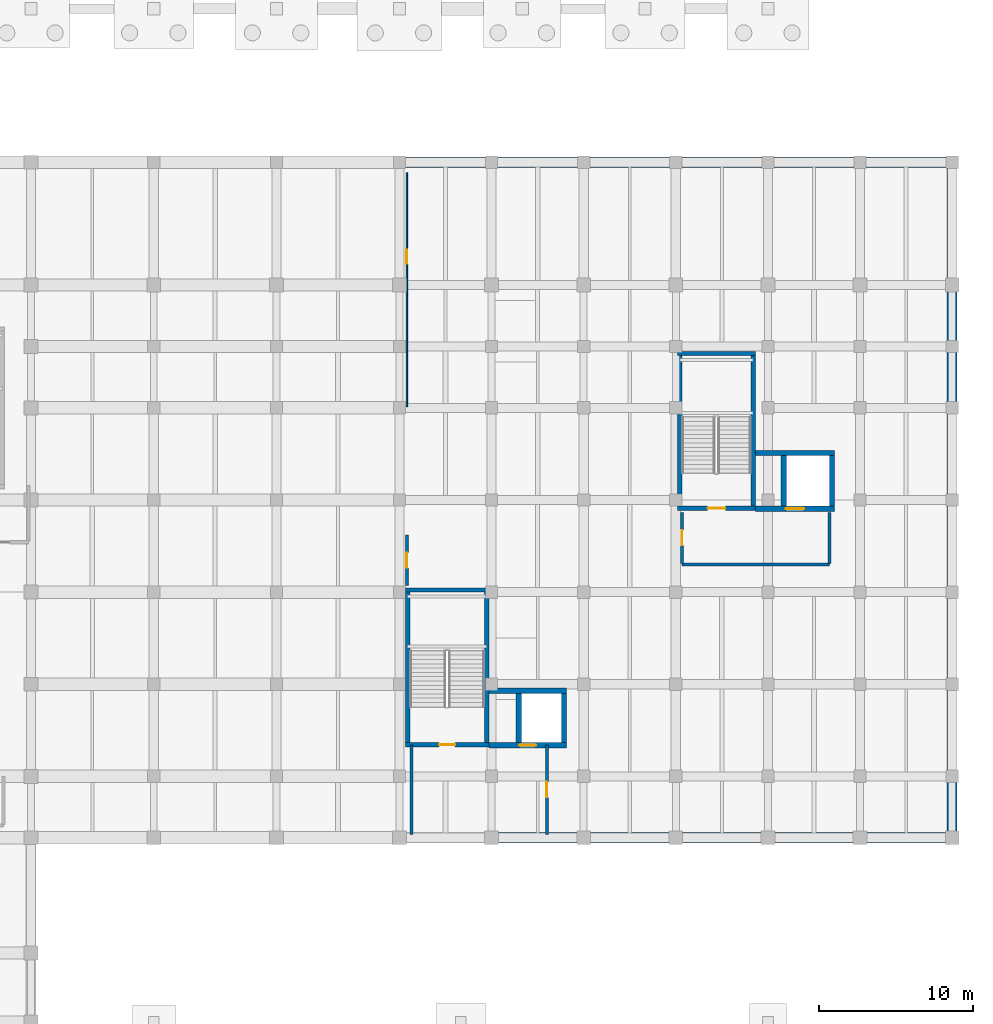
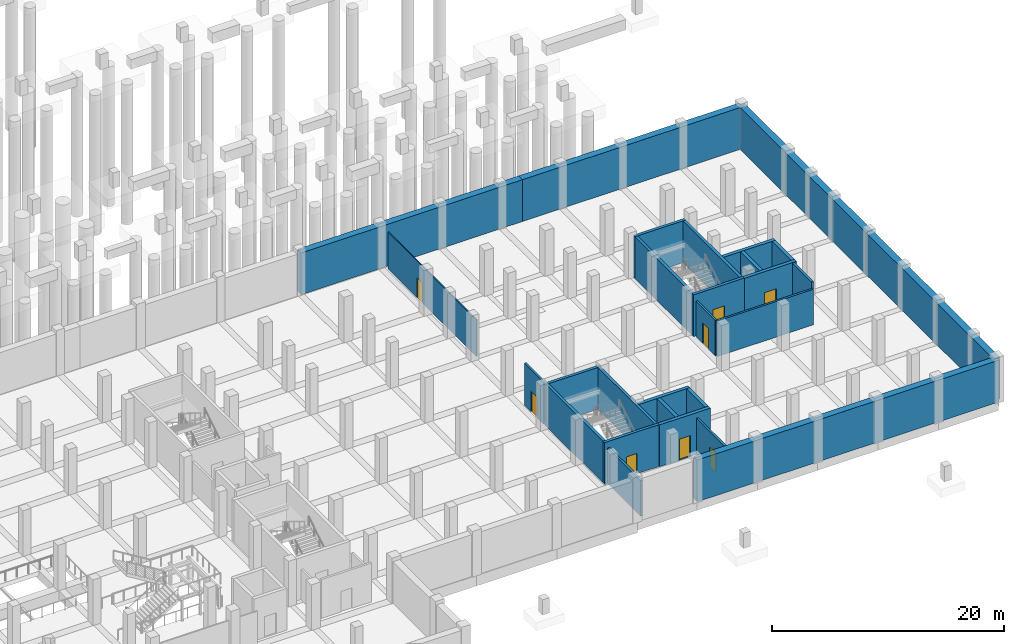
# One storey, part 25 of 36: 28 walls, 8 doors, 8 openings.
"""IFC4 building model written with IfcOpenShell, lengths in metres."""

import ifcopenshell
import ifcopenshell.guid

model = None  # the IFC model being written
_history = None  # IfcOwnerHistory: only IFC2X3 demands one
_inside = {}  # id of a spatial element -> (the spatial element, [elements in it])
_under = {}  # id of a project, library or spatial element -> (it, [spatial elements below it])
_declared = {}  # id of a project -> (the project, [libraries it declares])
_typed = {}  # id of a type object -> (the type object, [elements of that type])
_made_of = {}  # id of a material, layer set ... -> (it, [elements and type objects made of it])


def new_model(schema):
    """Start an empty IFC model of exactly this schema.

    Asked for "IFC4X3", IfcOpenShell would pick the latest addendum, in which some entities
    have other attributes; the version numbers below select the first issue.
    IFC2X3 requires an IfcOwnerHistory on every rooted entity: one is made here for all.
    """
    global model, _history
    if schema == "IFC4X3":
        model = ifcopenshell.file(schema_version=(4, 3, 0, 0))
    else:
        model = ifcopenshell.file(schema=schema)
    _inside.clear()
    _under.clear()
    _declared.clear()
    _typed.clear()
    _made_of.clear()
    _history = None
    if model.schema == "IFC2X3":
        org = make("IfcOrganization", Name="unknown")
        user = make(
            "IfcPersonAndOrganization",
            ThePerson=make("IfcPerson", FamilyName="unknown"),
            TheOrganization=org,
        )
        app = make(
            "IfcApplication",
            ApplicationDeveloper=org,
            Version="unknown",
            ApplicationFullName="unknown",
            ApplicationIdentifier="unknown",
        )
        _history = make(
            "IfcOwnerHistory",
            OwningUser=user,
            OwningApplication=app,
            ChangeAction="ADDED",
            CreationDate=0,
        )
    return model


def make(cls, **values):
    """One entity of the class cls with the attributes given. An attribute that is None is left unset."""
    return model.create_entity(
        cls, **{name: value for name, value in values.items() if value is not None}
    )


def rooted(cls, **values):
    """An entity with a GlobalId (a new one), such as an element, a storey or a relation."""
    return make(cls, GlobalId=ifcopenshell.guid.new(), OwnerHistory=_history, **values)


def si_unit(unit_type, name, prefix=None):
    """IfcSIUnit, for example si_unit("LENGTHUNIT", "METRE", prefix="MILLI")."""
    return make("IfcSIUnit", UnitType=unit_type, Prefix=prefix, Name=name)


def assignment(units):
    """IfcUnitAssignment: the units of a project."""
    return None if units is None else make("IfcUnitAssignment", Units=units)


def point(xyz):
    """IfcCartesianPoint."""
    return None if xyz is None else make("IfcCartesianPoint", Coordinates=xyz)


def direction(xyz):
    """IfcDirection."""
    return None if xyz is None else make("IfcDirection", DirectionRatios=xyz)


def frame(location, z_axis=None, x_axis=None):
    """IfcAxis2Placement3D, a coordinate frame: its origin and axes. An axis left out is left unset."""
    return make(
        "IfcAxis2Placement3D",
        Location=point(location),
        Axis=direction(z_axis),
        RefDirection=direction(x_axis),
    )


def frame_2d(location, x_axis=None):
    """IfcAxis2Placement2D, a coordinate frame in the plane: its origin and x axis."""
    return make(
        "IfcAxis2Placement2D", Location=point(location), RefDirection=direction(x_axis)
    )


def origin():
    """The frame at (0, 0, 0) with its axes left unset."""
    return frame((0.0, 0.0, 0.0))


def place(relative_to, where):
    """IfcLocalPlacement: puts the frame where relative to a parent placement (None: the world)."""
    return make(
        "IfcLocalPlacement", PlacementRelTo=relative_to, RelativePlacement=where
    )


def context(
    kind, dimensions, precision=None, world=None, true_north=None, identifier=None
):
    """IfcGeometricRepresentationContext, for example the 3D "Model" context."""
    return make(
        "IfcGeometricRepresentationContext",
        ContextIdentifier=identifier,
        ContextType=kind,
        CoordinateSpaceDimension=dimensions,
        Precision=precision,
        WorldCoordinateSystem=world,
        TrueNorth=true_north,
    )


def subcontext(parent, identifier, kind, view, scale=None):
    """IfcGeometricRepresentationSubContext, for example "Body" below "Model"."""
    return make(
        "IfcGeometricRepresentationSubContext",
        ContextIdentifier=identifier,
        ContextType=kind,
        ParentContext=parent,
        TargetScale=scale,
        TargetView=view,
    )


def project(units=None, contexts=None):
    """IfcProject with its units and contexts."""
    return rooted(
        "IfcProject",
        Name="project",
        RepresentationContexts=contexts,
        UnitsInContext=assignment(units),
    )


def spatial(cls, under=None, at=None, **own):
    """A site, building, storey or space (cls), placed at a placement, below another one or the project."""
    s = rooted(cls, ObjectPlacement=at, **own)
    if under is not None:
        _under.setdefault(under.id(), (under, []))[1].append(s)
    return s


def profile(cls, at=None, kind="AREA", **sizes):
    """A parametric profile (cls). Its sizes go by their IFC names, for example OverallWidth=200.0."""
    return make(cls, ProfileType=kind, Position=at, **sizes)


def rectangle(**sizes):
    """IfcRectangleProfileDef."""
    return profile("IfcRectangleProfileDef", **sizes)


def extrude(swept, where, along, depth):
    """IfcExtrudedAreaSolid: the profile swept, set in the frame where, extruded along a direction by depth."""
    return make(
        "IfcExtrudedAreaSolid",
        SweptArea=swept,
        Position=where,
        ExtrudedDirection=direction(along),
        Depth=depth,
    )


def shape(context_of_items, identifier, shape_type, items):
    """IfcShapeRepresentation: the items that make up one representation, for example the "Body"."""
    return make(
        "IfcShapeRepresentation",
        ContextOfItems=context_of_items,
        RepresentationIdentifier=identifier,
        RepresentationType=shape_type,
        Items=items,
    )


def material(Name=None, Category=None):
    """IfcMaterial."""
    return make("IfcMaterial", Name=Name, Category=Category)


def layer(
    of_material, thickness, ventilated=None, Name=None, Category=None, Priority=None
):
    """IfcMaterialLayer: one layer of a wall or slab, of a material (None: an air gap)."""
    return make(
        "IfcMaterialLayer",
        Material=of_material,
        LayerThickness=thickness,
        IsVentilated=ventilated,
        Name=Name,
        Category=Category,
        Priority=Priority,
    )


def layer_set(layers, Name=None):
    """IfcMaterialLayerSet."""
    return make("IfcMaterialLayerSet", MaterialLayers=layers, LayerSetName=Name)


def made_of(thing, what):
    """Note that an element or type object is made of a material, layer set ...; save() writes the relation."""
    if what is not None:
        _made_of.setdefault(what.id(), (what, []))[1].append(thing)
    return thing


def type_object(cls, material=None, **own):
    """A type object (cls), such as IfcWallType, which elements share."""
    return made_of(rooted(cls, **own), material)


def element(
    cls,
    number,
    at=None,
    inside=None,
    cuts=None,
    type_object=None,
    material=None,
    context=None,
    identifier="Body",
    shape_type=None,
    held_by="IfcProductDefinitionShape",
    body=None,
    shapes=None,
    **own,
):
    """One element of the class cls, such as IfcWall. Its Tag is "e" and its number.

    at: its placement. inside: the storey or other place that contains it. cuts: it is an
    opening in that element (IfcRelVoidsElement). A single representation is given by context,
    identifier, shape_type and body (its items); several are given by shapes. held_by: the class
    of the entity that holds the representations. save() writes the other relations.
    """
    e = rooted(cls, Tag="e%d" % number, ObjectPlacement=at, **own)
    if body is not None:
        shapes = [shape(context, identifier, shape_type, body)]
    if shapes is not None:
        e.Representation = make(held_by, Representations=shapes)
    if inside is not None:
        _inside.setdefault(inside.id(), (inside, []))[1].append(e)
    if cuts is not None:
        rooted(
            "IfcRelVoidsElement", RelatingBuildingElement=cuts, RelatedOpeningElement=e
        )
    if type_object is not None:
        _typed.setdefault(type_object.id(), (type_object, []))[1].append(e)
    return made_of(e, material)


def fill(opening, filler):
    """IfcRelFillsElement: the door or window that sits in an opening."""
    return rooted(
        "IfcRelFillsElement",
        RelatingOpeningElement=opening,
        RelatedBuildingElement=filler,
    )


def aggregate(whole, parts):
    """IfcRelAggregates: a whole, such as a stair, and the parts it consists of."""
    return rooted("IfcRelAggregates", RelatingObject=whole, RelatedObjects=parts)


def save(model, path):
    """Write the relations noted so far, then the file.

    IfcRelAggregates (storeys below a building ...), IfcRelContainedInSpatialStructure (elements
    in a storey), IfcRelDefinesByType, IfcRelAssociatesMaterial and IfcRelDeclares: one each for
    every whole, place, type object, material and project.
    """
    for whole, parts in _under.values():
        aggregate(whole, parts)
    for where, things in _inside.values():
        rooted(
            "IfcRelContainedInSpatialStructure",
            RelatedElements=things,
            RelatingStructure=where,
        )
    for kind, things in _typed.values():
        rooted("IfcRelDefinesByType", RelatedObjects=things, RelatingType=kind)
    for what, things in _made_of.values():
        rooted("IfcRelAssociatesMaterial", RelatedObjects=things, RelatingMaterial=what)
    for by, libraries in _declared.values():
        rooted("IfcRelDeclares", RelatingContext=by, RelatedDefinitions=libraries)
    model.write(path)


model = new_model("IFC4")

# Units and contexts
model_context = context("Model", 3, precision=1e-05, world=origin(), true_north=direction((0.0, 1.0)))
body_context = subcontext(model_context, "Body", "Model", "MODEL_VIEW")
ifc_project = project(units=[si_unit("LENGTHUNIT", "METRE"), si_unit("AREAUNIT", "SQUARE_METRE"), si_unit("VOLUMEUNIT", "CUBIC_METRE"), si_unit("PLANEANGLEUNIT", "RADIAN"), si_unit("MASSUNIT", "GRAM", prefix="KILO")], contexts=[model_context])

# Site, building, storey
site_placement = place(None, origin())
site = spatial("IfcSite", under=ifc_project, at=site_placement, CompositionType="ELEMENT")
building_placement = place(site_placement, origin())
building = spatial("IfcBuilding", under=site, at=building_placement, Name="Verrall Gate Interchange", CompositionType="ELEMENT")
storey_placement = place(building_placement, frame((0.0, 0.0, -4.800048828125)))
storey = spatial("IfcBuildingStorey", under=building, at=storey_placement, Name="B1", CompositionType="ELEMENT", Elevation=-4.800048828125)

# Wall
ifc_material_1 = material(Name="Fire-Rated Type X Gypsum Stud Partition Assembly (60 min)", Category="gypsum")
ifc_layer_1 = layer(ifc_material_1, 0.199951171875)
ifc_layer_set_1 = layer_set([ifc_layer_1], Name="Fire-Rated Type X Gypsum Stud Partition Assembly (60 min)")
wall_type_1 = type_object("IfcWallType", Name="IW-01 Interior Partition Wall 200", PredefinedType="PARTITIONING", material=ifc_layer_set_1)
wall_1_placement = place(storey_placement, frame((132.800048828125, 18.050048828125, 0.0), z_axis=(0.0, 0.0, 1.0), x_axis=(0.0, -1.0, 0.0)))
element("IfcWall", 1, at=wall_1_placement, inside=storey, type_object=wall_type_1, Name="B1 Core C8 Lobby West Rated Wall", PredefinedType="PARTITIONING", context=body_context, shape_type="SweptSolid", body=[
    extrude(rectangle(XDim=5.820068359375, YDim=0.199951171875, at=frame_2d((2.91015625, 0.0))), origin(), (0.0, 0.0, 1.0), 3.740966796875),
])

# Wall, opening, door
wall_2_placement = place(storey_placement, frame((141.60009765625, 12.22998046875, 0.0), z_axis=(0.0, 0.0, 1.0), x_axis=(0.0, 1.0, 0.0)))
wall_2 = element("IfcWall", 2, at=wall_2_placement, inside=storey, type_object=wall_type_1, Name="B1 Core C8 Lobby East Rated Wall", PredefinedType="PARTITIONING", context=body_context, shape_type="SweptSolid", body=[
    extrude(rectangle(XDim=5.820068359375, YDim=0.199951171875, at=frame_2d((2.91015625, 0.0))), origin(), (0.0, 0.0, 1.0), 3.817138671875),
])
opening_1_placement = place(wall_2_placement, frame((2.409912109375, 0.0, 0.0)))
opening_1 = element("IfcOpeningElement", 3, at=opening_1_placement, cuts=wall_2, Name="Opening LBD093", PredefinedType="OPENING", context=body_context, shape_type="SweptSolid", body=[
    extrude(rectangle(XDim=1.0, YDim=2.14990234375, at=frame_2d((0.5, 1.074951171875))), frame((0.0, 0.11474609375, 0.0), z_axis=(0.0, -1.0, 0.0), x_axis=(1.0, 0.0, 0.0)), (0.0, 0.0, 1.0), 0.229736328125),
])
ifc_material_2 = material(Name="Hollow-Metal Fire-Rated Door Assembly", Category="metal")
door_type_1 = type_object("IfcDoorType", Name="ID-05 Interior Swing Door 1000x2150", OperationType="NOTDEFINED", PredefinedType="DOOR", material=ifc_material_2)
door_1_placement = place(opening_1_placement, origin())
door_1 = element("IfcDoor", 4, at=door_1_placement, inside=storey, type_object=door_type_1, Name="B1 Core C8 Lobby Fire Door LBD093", OperationType="SINGLE_SWING_LEFT", OverallHeight=2.14990234375, OverallWidth=1.0, PredefinedType="DOOR", context=body_context, shape_type="SweptSolid", body=[
    extrude(rectangle(XDim=1.0, YDim=2.14990234375, at=frame_2d((0.5, 1.074951171875))), frame((0.0, 0.02490234375, 0.0), z_axis=(0.0, -1.0, 0.0), x_axis=(1.0, 0.0, 0.0)), (0.0, 0.0, 1.0), 0.050048828125),
])
fill(opening_1, door_1)

# Wall
wall_3_placement = place(storey_placement, frame((150.39990234375, 29.800048828125, 0.0), z_axis=(0.0, 0.0, 1.0), x_axis=(1.0, 0.0, 0.0)))
element("IfcWall", 5, at=wall_3_placement, inside=storey, type_object=wall_type_1, Name="B1 Core C9 Lobby South Rated Wall", PredefinedType="PARTITIONING", context=body_context, shape_type="SweptSolid", body=[
    extrude(rectangle(XDim=9.60009765625, YDim=0.199951171875, at=frame_2d((4.800048828125, 0.0))), origin(), (0.0, 0.0, 1.0), 3.740966796875),
])

# Wall, opening, door
wall_4_placement = place(storey_placement, frame((150.39990234375, 33.199951171875, 0.0), z_axis=(0.0, 0.0, 1.0), x_axis=(0.0, -1.0, 0.0)))
wall_4 = element("IfcWall", 6, at=wall_4_placement, inside=storey, type_object=wall_type_1, Name="B1 Core C9 Lobby West Rated Wall", PredefinedType="PARTITIONING", context=body_context, shape_type="SweptSolid", body=[
    extrude(rectangle(XDim=3.320068359375, YDim=0.199951171875, at=frame_2d((1.66015625, 0.0))), origin(), (0.0, 0.0, 1.0), 3.740966796875),
])
opening_2_placement = place(wall_4_placement, frame((1.159912109375, 0.0, 0.0)))
opening_2 = element("IfcOpeningElement", 7, at=opening_2_placement, cuts=wall_4, Name="Opening LBD103", PredefinedType="OPENING", context=body_context, shape_type="SweptSolid", body=[
    extrude(rectangle(XDim=1.0, YDim=2.14990234375, at=frame_2d((0.5, 1.074951171875))), frame((0.0, 0.11474609375, 0.0), z_axis=(0.0, -1.0, 0.0), x_axis=(1.0, 0.0, 0.0)), (0.0, 0.0, 1.0), 0.229736328125),
])
door_2_placement = place(opening_2_placement, origin())
door_2 = element("IfcDoor", 8, at=door_2_placement, inside=storey, type_object=door_type_1, Name="B1 Core C9 Lobby Fire Door LBD103", OperationType="SINGLE_SWING_LEFT", OverallHeight=2.14990234375, OverallWidth=1.0, PredefinedType="DOOR", context=body_context, shape_type="SweptSolid", body=[
    extrude(rectangle(XDim=1.0, YDim=2.14990234375, at=frame_2d((0.5, 1.074951171875))), frame((0.0, 0.02490234375, 0.0), z_axis=(0.0, -1.0, 0.0), x_axis=(1.0, 0.0, 0.0)), (0.0, 0.0, 1.0), 0.050048828125),
])
fill(opening_2, door_2)

# Wall
wall_5_placement = place(storey_placement, frame((160.0, 29.8798828125, 0.0), z_axis=(0.0, 0.0, 1.0), x_axis=(0.0, 1.0, 0.0)))
element("IfcWall", 9, at=wall_5_placement, inside=storey, type_object=wall_type_1, Name="B1 Core C9 Lobby East Rated Wall", PredefinedType="PARTITIONING", context=body_context, shape_type="SweptSolid", body=[
    extrude(rectangle(XDim=3.320068359375, YDim=0.199951171875, at=frame_2d((1.66015625, 0.0))), origin(), (0.0, 0.0, 1.0), 4.400146484375),
])

# Wall, opening, door
wall_6_placement = place(storey_placement, frame((132.47998046875, 28.43994140625, 0.0), z_axis=(0.0, 0.0, 1.0), x_axis=(0.0, 1.0, 0.0)))
wall_6 = element("IfcWall", 10, at=wall_6_placement, inside=storey, type_object=wall_type_1, Name="B1 East Metro Electrical Switchgear Room Partition 014", PredefinedType="PARTITIONING", context=body_context, shape_type="SweptSolid", body=[
    extrude(rectangle(XDim=3.280029296875, YDim=0.199951171875, at=frame_2d((1.64013671875, 0.0))), origin(), (0.0, 0.0, 1.0), 4.400146484375),
])
opening_3_placement = place(wall_6_placement, frame((1.139892578125, 0.0, 0.0)))
opening_3 = element("IfcOpeningElement", 11, at=opening_3_placement, cuts=wall_6, Name="Opening D014", PredefinedType="OPENING", context=body_context, shape_type="SweptSolid", body=[
    extrude(rectangle(XDim=1.0, YDim=2.14990234375, at=frame_2d((0.5, 1.074951171875))), frame((0.0, 0.11474609375, 0.0), z_axis=(0.0, -1.0, 0.0), x_axis=(1.0, 0.0, 0.0)), (0.0, 0.0, 1.0), 0.229736328125),
])
door_3_placement = place(opening_3_placement, origin())
door_3 = element("IfcDoor", 12, at=door_3_placement, inside=storey, type_object=door_type_1, Name="B1 East Metro Electrical Switchgear Room Door D014", OperationType="SINGLE_SWING_LEFT", OverallHeight=2.14990234375, OverallWidth=1.0, PredefinedType="DOOR", context=body_context, shape_type="SweptSolid", body=[
    extrude(rectangle(XDim=1.0, YDim=2.14990234375, at=frame_2d((0.5, 1.074951171875))), frame((0.0, 0.02490234375, 0.0), z_axis=(0.0, -1.0, 0.0), x_axis=(1.0, 0.0, 0.0)), (0.0, 0.0, 1.0), 0.050048828125),
])
fill(opening_3, door_3)

ifc_material_3 = material(Name="Acoustic Steel-Stud Partition Assembly", Category="steel")
ifc_layer_2 = layer(ifc_material_3, 0.10009765625)
ifc_layer_set_2 = layer_set([ifc_layer_2], Name="Acoustic Steel-Stud Partition Assembly")
wall_type_2 = type_object("IfcWallType", Name="IW-05 Interior Partition Wall 100", PredefinedType="PARTITIONING", material=ifc_layer_set_2)
wall_7_placement = place(storey_placement, frame((132.47998046875, 40.080078125, 0.0), z_axis=(0.0, 0.0, 1.0), x_axis=(0.0, 1.0, 0.0)))
wall_7 = element("IfcWall", 13, at=wall_7_placement, inside=storey, type_object=wall_type_2, Name="B1 Station Custodial and Maintenance Store Partition 015", PredefinedType="PARTITIONING", context=body_context, shape_type="SweptSolid", body=[
    extrude(rectangle(XDim=15.239990234375, YDim=0.10009765625, at=frame_2d((7.6201171875, 0.0))), origin(), (0.0, 0.0, 1.0), 3.8701171875),
])
opening_4_placement = place(wall_7_placement, frame((9.30810546875, 0.0, 0.0)))
opening_4 = element("IfcOpeningElement", 14, at=opening_4_placement, cuts=wall_7, Name="Opening D015", PredefinedType="OPENING", context=body_context, shape_type="SweptSolid", body=[
    extrude(rectangle(XDim=0.919921875, YDim=2.10009765625, at=frame_2d((0.4599609375, 1.050048828125))), frame((0.0, 0.06494140625, 0.0), z_axis=(0.0, -1.0, 0.0), x_axis=(1.0, 0.0, 0.0)), (0.0, 0.0, 1.0), 0.1298828125),
])
ifc_material_4 = material(Name="Architectural Solid-Core Birch Acoustic Door Assembly", Category="wood")
door_type_2 = type_object("IfcDoorType", Name="ID-10 Interior Swing Door 920x2100", OperationType="NOTDEFINED", PredefinedType="DOOR", material=ifc_material_4)
door_4_placement = place(opening_4_placement, origin())
door_4 = element("IfcDoor", 15, at=door_4_placement, inside=storey, type_object=door_type_2, Name="B1 Station Custodial and Maintenance Store Door D015", OperationType="SINGLE_SWING_RIGHT", OverallHeight=2.10009765625, OverallWidth=0.919921875, PredefinedType="DOOR", context=body_context, shape_type="SweptSolid", body=[
    extrude(rectangle(XDim=0.919921875, YDim=2.10009765625, at=frame_2d((0.4599609375, 1.050048828125))), frame((0.0, 0.02490234375, 0.0), z_axis=(0.0, -1.0, 0.0), x_axis=(1.0, 0.0, 0.0)), (0.0, 0.0, 1.0), 0.050048828125),
])
fill(opening_4, door_4)

# Walls
ifc_material_5 = material(Name="Concrete CSA A23.1 35 MPa (Class S-2)", Category="concrete")
ifc_layer_3 = layer(ifc_material_5, 0.659912109375)
ifc_layer_set_3 = layer_set([ifc_layer_3], Name="Concrete CSA A23.1 35 MPa (Class S-2)")
wall_type_3 = type_object("IfcWallType", Name="RW-02 Diaphragm Retaining Wall 660", PredefinedType="USERDEFINED", material=ifc_layer_set_3)
wall_8_placement = place(storey_placement, frame((138.0, 12.0, 0.0), z_axis=(0.0, 0.0, 1.0), x_axis=(1.0, 0.0, 0.0)))
element("IfcWall", 16, at=wall_8_placement, inside=storey, type_object=wall_type_3, Name="B1 Diaphragm Retaining Wall 032", ObjectType="RETAININGWALL", PredefinedType="USERDEFINED", context=body_context, shape_type="SweptSolid", body=[
    extrude(rectangle(XDim=30.0, YDim=0.659912109375, at=frame_2d((15.0, 0.0))), origin(), (0.0, 0.0, 1.0), 4.400146484375),
])
for number, where, z_axis, x_axis, name in (
    (17, (168.0, 12.0, 0.0), (0.0, 0.0, 1.0), (0.0, 1.0, 0.0), "B1 Diaphragm Retaining Wall 033"),
    (18, (168.0, 34.0, 0.0), (0.0, 0.0, 1.0), (0.0, 1.0, 0.0), "B1 Diaphragm Retaining Wall 034"),
    (19, (168.0, 56.0, 0.0), (0.0, 0.0, 1.0), (-1.0, 0.0, 0.0), "B1 Diaphragm Retaining Wall 035"),
    (20, (146.0, 56.0, 0.0), (0.0, 0.0, 1.0), (-1.0, 0.0, 0.0), "B1 Diaphragm Retaining Wall 036"),
):
    element("IfcWall", number, at=place(storey_placement, frame(where, z_axis=z_axis, x_axis=x_axis)), inside=storey, type_object=wall_type_3, Name=name, ObjectType="RETAININGWALL", PredefinedType="USERDEFINED", context=body_context, shape_type="SweptSolid", body=[
        extrude(rectangle(XDim=22.0, YDim=0.659912109375, at=frame_2d((11.0, 0.0))), origin(), (0.0, 0.0, 1.0), 4.400146484375),
    ])

# Wall, opening, door
ifc_material_6 = material(Name="Concrete CSA A23.1 40 MPa (Class N)", Category="concrete")
ifc_layer_4 = layer(ifc_material_6, 0.340087890625)
ifc_layer_set_4 = layer_set([ifc_layer_4], Name="Concrete CSA A23.1 40 MPa (Class N)")
wall_type_4 = type_object("IfcWallType", Name="SW-02 Core Shear Wall 340", PredefinedType="SHEAR", material=ifc_layer_set_4)
wall_9_placement = place(storey_placement, frame((137.820068359375, 18.030029296875, 0.0), z_axis=(0.0, 0.0, 1.0), x_axis=(1.0, 0.0, 0.0)))
wall_9 = element("IfcWall", 21, at=wall_9_placement, inside=storey, type_object=wall_type_4, Name="B1 Elevator EL-06 South Shaft Wall", PredefinedType="SHEAR", context=body_context, shape_type="SweptSolid", body=[
    extrude(rectangle(XDim=5.059814453125, YDim=0.340087890625, at=frame_2d((2.52978515625, 0.0))), origin(), (0.0, 0.0, 1.0), 4.400146484375),
])
opening_5_placement = place(wall_9_placement, frame((1.97998046875, 0.0, 0.0)))
opening_5 = element("IfcOpeningElement", 22, at=opening_5_placement, cuts=wall_9, Name="Opening LD-06-B1", PredefinedType="OPENING", context=body_context, shape_type="SweptSolid", body=[
    extrude(rectangle(XDim=1.10009765625, YDim=2.199951171875, at=frame_2d((0.550048828125, 1.10009765625))), frame((0.0, 0.18505859375, 0.0), z_axis=(0.0, -1.0, 0.0), x_axis=(1.0, 0.0, 0.0)), (0.0, 0.0, 1.0), 0.369873046875),
])
ifc_material_7 = material(Name="Stainless-Steel Elevator Landing Sliding Door Assembly", Category="steel")
door_type_3 = type_object("IfcDoorType", Name="LD-01 Elevator Sliding Landing Door 1100x2200", OperationType="NOTDEFINED", PredefinedType="DOOR", material=ifc_material_7)
door_5_placement = place(opening_5_placement, origin())
door_5 = element("IfcDoor", 23, at=door_5_placement, inside=storey, type_object=door_type_3, Name="B1 Elevator EL-06 Sliding Landing Door", OperationType="DOUBLE_DOOR_SLIDING", OverallHeight=2.199951171875, OverallWidth=1.10009765625, PredefinedType="DOOR", context=body_context, shape_type="SweptSolid", body=[
    extrude(rectangle(XDim=1.10009765625, YDim=2.199951171875, at=frame_2d((0.550048828125, 1.10009765625))), frame((0.0, 0.02490234375, 0.0), z_axis=(0.0, -1.0, 0.0), x_axis=(1.0, 0.0, 0.0)), (0.0, 0.0, 1.0), 0.050048828125),
])
fill(opening_5, door_5)

# Walls
wall_10_placement = place(storey_placement, frame((142.8798828125, 21.570068359375, 0.0), z_axis=(0.0, 0.0, 1.0), x_axis=(-1.0, 0.0, 0.0)))
element("IfcWall", 24, at=wall_10_placement, inside=storey, type_object=wall_type_4, Name="B1 Elevator EL-06 North Shaft Wall", PredefinedType="SHEAR", context=body_context, shape_type="SweptSolid", body=[
    extrude(rectangle(XDim=5.059814453125, YDim=0.340087890625, at=frame_2d((2.52978515625, 0.0))), origin(), (0.0, 0.0, 1.0), 4.400146484375),
])
for number, where, z_axis, x_axis, name in (
    (25, (139.77001953125, 21.39990234375, 0.0), (0.0, 0.0, 1.0), (0.0, -1.0, 0.0), "B1 Elevator EL-06 West Shaft Wall"),
    (26, (142.7099609375, 18.199951171875, 0.0), (0.0, 0.0, 1.0), (0.0, 1.0, 0.0), "B1 Elevator EL-06 East Shaft Wall"),
):
    element("IfcWall", number, at=place(storey_placement, frame(where, z_axis=z_axis, x_axis=x_axis)), inside=storey, type_object=wall_type_4, Name=name, PredefinedType="SHEAR", context=body_context, shape_type="SweptSolid", body=[
        extrude(rectangle(XDim=3.199951171875, YDim=0.340087890625, at=frame_2d((1.60009765625, 0.0))), origin(), (0.0, 0.0, 1.0), 4.400146484375),
    ])

# Wall, opening, door
wall_11_placement = place(storey_placement, frame((155.179931640625, 33.429931640625, 0.0), z_axis=(0.0, 0.0, 1.0), x_axis=(1.0, 0.0, 0.0)))
wall_11 = element("IfcWall", 27, at=wall_11_placement, inside=storey, type_object=wall_type_4, Name="B1 Elevator EL-07 South Shaft Wall", PredefinedType="SHEAR", context=body_context, shape_type="SweptSolid", body=[
    extrude(rectangle(XDim=5.16015625, YDim=0.340087890625, at=frame_2d((2.580078125, 0.0))), origin(), (0.0, 0.0, 1.0), 4.400146484375),
])
opening_6_placement = place(wall_11_placement, frame((1.97998046875, 0.0, 0.0)))
opening_6 = element("IfcOpeningElement", 28, at=opening_6_placement, cuts=wall_11, Name="Opening LD-07-B1", PredefinedType="OPENING", context=body_context, shape_type="SweptSolid", body=[
    extrude(rectangle(XDim=1.199951171875, YDim=2.199951171875, at=frame_2d((0.60009765625, 1.10009765625))), frame((0.0, 0.18505859375, 0.0), z_axis=(0.0, -1.0, 0.0), x_axis=(1.0, 0.0, 0.0)), (0.0, 0.0, 1.0), 0.369873046875),
])
ifc_material_8 = material(Name="Stainless-Steel Elevator Landing Sliding Door Assembly", Category="steel")
door_type_4 = type_object("IfcDoorType", Name="LD-02 Elevator Sliding Landing Door 1200x2200", OperationType="NOTDEFINED", PredefinedType="DOOR", material=ifc_material_8)
door_6_placement = place(opening_6_placement, origin())
door_6 = element("IfcDoor", 29, at=door_6_placement, inside=storey, type_object=door_type_4, Name="B1 Elevator EL-07 Sliding Landing Door", OperationType="DOUBLE_DOOR_SLIDING", OverallHeight=2.199951171875, OverallWidth=1.199951171875, PredefinedType="DOOR", context=body_context, shape_type="SweptSolid", body=[
    extrude(rectangle(XDim=1.199951171875, YDim=2.199951171875, at=frame_2d((0.60009765625, 1.10009765625))), frame((0.0, 0.02490234375, 0.0), z_axis=(0.0, -1.0, 0.0), x_axis=(1.0, 0.0, 0.0)), (0.0, 0.0, 1.0), 0.050048828125),
])
fill(opening_6, door_6)

# Walls
wall_12_placement = place(storey_placement, frame((160.340087890625, 37.070068359375, 0.0), z_axis=(0.0, 0.0, 1.0), x_axis=(-1.0, 0.0, 0.0)))
element("IfcWall", 30, at=wall_12_placement, inside=storey, type_object=wall_type_4, Name="B1 Elevator EL-07 North Shaft Wall", PredefinedType="SHEAR", context=body_context, shape_type="SweptSolid", body=[
    extrude(rectangle(XDim=5.16015625, YDim=0.340087890625, at=frame_2d((2.580078125, 0.0))), origin(), (0.0, 0.0, 1.0), 4.400146484375),
])
for number, where, z_axis, x_axis, name in (
    (31, (157.030029296875, 36.89990234375, 0.0), (0.0, 0.0, 1.0), (0.0, -1.0, 0.0), "B1 Elevator EL-07 West Shaft Wall"),
    (32, (160.169921875, 33.60009765625, 0.0), (0.0, 0.0, 1.0), (0.0, 1.0, 0.0), "B1 Elevator EL-07 East Shaft Wall"),
):
    element("IfcWall", number, at=place(storey_placement, frame(where, z_axis=z_axis, x_axis=x_axis)), inside=storey, type_object=wall_type_4, Name=name, PredefinedType="SHEAR", context=body_context, shape_type="SweptSolid", body=[
        extrude(rectangle(XDim=3.2998046875, YDim=0.340087890625, at=frame_2d((1.64990234375, 0.0))), origin(), (0.0, 0.0, 1.0), 4.400146484375),
    ])

# Wall, opening, door
ifc_material_9 = material(Name="Concrete CSA A23.1 40 MPa (Class N)", Category="concrete")
ifc_layer_5 = layer(ifc_material_9, 0.280029296875)
ifc_layer_set_5 = layer_set([ifc_layer_5], Name="Concrete CSA A23.1 40 MPa (Class N)")
wall_type_5 = type_object("IfcWallType", Name="SW-03 Core Shear Wall 280", PredefinedType="SHEAR", material=ifc_layer_set_5)
wall_13_placement = place(storey_placement, frame((132.39990234375, 18.06005859375, 0.0), z_axis=(0.0, 0.0, 1.0), x_axis=(1.0, 0.0, 0.0)))
wall_13 = element("IfcWall", 33, at=wall_13_placement, inside=storey, type_object=wall_type_5, Name="B1 Core C8 South Shear Wall", PredefinedType="SHEAR", context=body_context, shape_type="SweptSolid", body=[
    extrude(rectangle(XDim=5.420166015625, YDim=0.280029296875, at=frame_2d((2.7099609375, 0.0))), origin(), (0.0, 0.0, 1.0), 4.400146484375),
])
opening_7_placement = place(wall_13_placement, frame((2.18505859375, 0.0, 0.0)))
opening_7 = element("IfcOpeningElement", 34, at=opening_7_placement, cuts=wall_13, Name="Opening SD088", PredefinedType="OPENING", context=body_context, shape_type="SweptSolid", body=[
    extrude(rectangle(XDim=1.050048828125, YDim=2.14990234375, at=frame_2d((0.52490234375, 1.074951171875))), frame((0.0, 0.15478515625, 0.0), z_axis=(0.0, -1.0, 0.0), x_axis=(1.0, 0.0, 0.0)), (0.0, 0.0, 1.0), 0.309814453125),
])
ifc_material_10 = material(Name="Hollow-Metal Fire-Rated Door Assembly", Category="metal")
door_type_5 = type_object("IfcDoorType", Name="ID-01 Interior Swing Door 1050x2150", OperationType="NOTDEFINED", PredefinedType="DOOR", material=ifc_material_10)
door_7_placement = place(opening_7_placement, origin())
door_7 = element("IfcDoor", 35, at=door_7_placement, inside=storey, type_object=door_type_5, Name="B1 Stair ST-08 Fire Door SD088", OperationType="SINGLE_SWING_RIGHT", OverallHeight=2.14990234375, OverallWidth=1.050048828125, PredefinedType="DOOR", context=body_context, shape_type="SweptSolid", body=[
    extrude(rectangle(XDim=1.050048828125, YDim=2.14990234375, at=frame_2d((0.52490234375, 1.074951171875))), frame((0.0, 0.02490234375, 0.0), z_axis=(0.0, -1.0, 0.0), x_axis=(1.0, 0.0, 0.0)), (0.0, 0.0, 1.0), 0.050048828125),
])
fill(opening_7, door_7)

# Walls
wall_14_placement = place(storey_placement, frame((137.820068359375, 28.139892578125, 0.0), z_axis=(0.0, 0.0, 1.0), x_axis=(-1.0, 0.0, 0.0)))
element("IfcWall", 36, at=wall_14_placement, inside=storey, type_object=wall_type_5, Name="B1 Core C8 North Shear Wall", PredefinedType="SHEAR", context=body_context, shape_type="SweptSolid", body=[
    extrude(rectangle(XDim=5.420166015625, YDim=0.280029296875, at=frame_2d((2.7099609375, 0.0))), origin(), (0.0, 0.0, 1.0), 4.400146484375),
])
for number, where, z_axis, x_axis, name in (
    (37, (132.5400390625, 28.0, 0.0), (0.0, 0.0, 1.0), (0.0, -1.0, 0.0), "B1 Core C8 West Shear Wall"),
    (38, (137.679931640625, 18.199951171875, 0.0), (0.0, 0.0, 1.0), (0.0, 1.0, 0.0), "B1 Core C8 East Shear Wall"),
):
    element("IfcWall", number, at=place(storey_placement, frame(where, z_axis=z_axis, x_axis=x_axis)), inside=storey, type_object=wall_type_5, Name=name, PredefinedType="SHEAR", context=body_context, shape_type="SweptSolid", body=[
        extrude(rectangle(XDim=9.800048828125, YDim=0.280029296875, at=frame_2d((4.89990234375, 0.0))), origin(), (0.0, 0.0, 1.0), 4.400146484375),
    ])

# Wall, opening, door
wall_15_placement = place(storey_placement, frame((150.1201171875, 33.4599609375, 0.0), z_axis=(0.0, 0.0, 1.0), x_axis=(1.0, 0.0, 0.0)))
wall_15 = element("IfcWall", 39, at=wall_15_placement, inside=storey, type_object=wall_type_5, Name="B1 Core C9 South Shear Wall", PredefinedType="SHEAR", context=body_context, shape_type="SweptSolid", body=[
    extrude(rectangle(XDim=5.059814453125, YDim=0.280029296875, at=frame_2d((2.52978515625, 0.0))), origin(), (0.0, 0.0, 1.0), 4.400146484375),
])
opening_8_placement = place(wall_15_placement, frame((1.955078125, 0.0, 0.0)))
opening_8 = element("IfcOpeningElement", 40, at=opening_8_placement, cuts=wall_15, Name="Opening SD098", PredefinedType="OPENING", context=body_context, shape_type="SweptSolid", body=[
    extrude(rectangle(XDim=1.14990234375, YDim=2.14990234375, at=frame_2d((0.574951171875, 1.074951171875))), frame((0.0, 0.15478515625, 0.0), z_axis=(0.0, -1.0, 0.0), x_axis=(1.0, 0.0, 0.0)), (0.0, 0.0, 1.0), 0.309814453125),
])
ifc_material_11 = material(Name="Hollow-Metal Fire-Rated Door Assembly", Category="metal")
door_type_6 = type_object("IfcDoorType", Name="ID-02 Interior Swing Door 1150x2150", OperationType="NOTDEFINED", PredefinedType="DOOR", material=ifc_material_11)
door_8_placement = place(opening_8_placement, origin())
door_8 = element("IfcDoor", 41, at=door_8_placement, inside=storey, type_object=door_type_6, Name="B1 Stair ST-09 Fire Door SD098", OperationType="SINGLE_SWING_RIGHT", OverallHeight=2.14990234375, OverallWidth=1.14990234375, PredefinedType="DOOR", context=body_context, shape_type="SweptSolid", body=[
    extrude(rectangle(XDim=1.14990234375, YDim=2.14990234375, at=frame_2d((0.574951171875, 1.074951171875))), frame((0.0, 0.02490234375, 0.0), z_axis=(0.0, -1.0, 0.0), x_axis=(1.0, 0.0, 0.0)), (0.0, 0.0, 1.0), 0.050048828125),
])
fill(opening_8, door_8)

# Walls
wall_16_placement = place(storey_placement, frame((155.179931640625, 43.5400390625, 0.0), z_axis=(0.0, 0.0, 1.0), x_axis=(-1.0, 0.0, 0.0)))
element("IfcWall", 42, at=wall_16_placement, inside=storey, type_object=wall_type_5, Name="B1 Core C9 North Shear Wall", PredefinedType="SHEAR", context=body_context, shape_type="SweptSolid", body=[
    extrude(rectangle(XDim=5.059814453125, YDim=0.280029296875, at=frame_2d((2.52978515625, 0.0))), origin(), (0.0, 0.0, 1.0), 4.400146484375),
])
for number, where, z_axis, x_axis, name in (
    (43, (150.260009765625, 43.39990234375, 0.0), (0.0, 0.0, 1.0), (0.0, -1.0, 0.0), "B1 Core C9 West Shear Wall"),
    (44, (155.0400390625, 33.60009765625, 0.0), (0.0, 0.0, 1.0), (0.0, 1.0, 0.0), "B1 Core C9 East Shear Wall"),
):
    element("IfcWall", number, at=place(storey_placement, frame(where, z_axis=z_axis, x_axis=x_axis)), inside=storey, type_object=wall_type_5, Name=name, PredefinedType="SHEAR", context=body_context, shape_type="SweptSolid", body=[
        extrude(rectangle(XDim=9.7998046875, YDim=0.280029296875, at=frame_2d((4.89990234375, 0.0))), origin(), (0.0, 0.0, 1.0), 4.400146484375),
    ])

save(model, "model.ifc")
